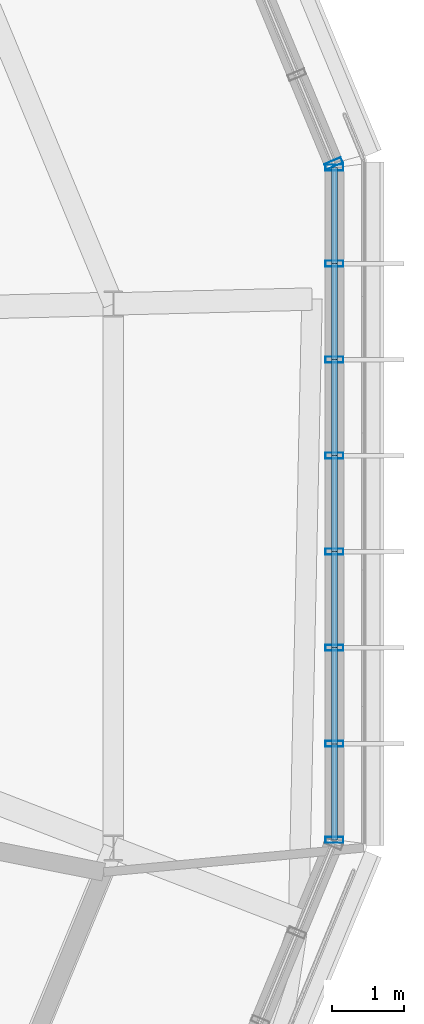
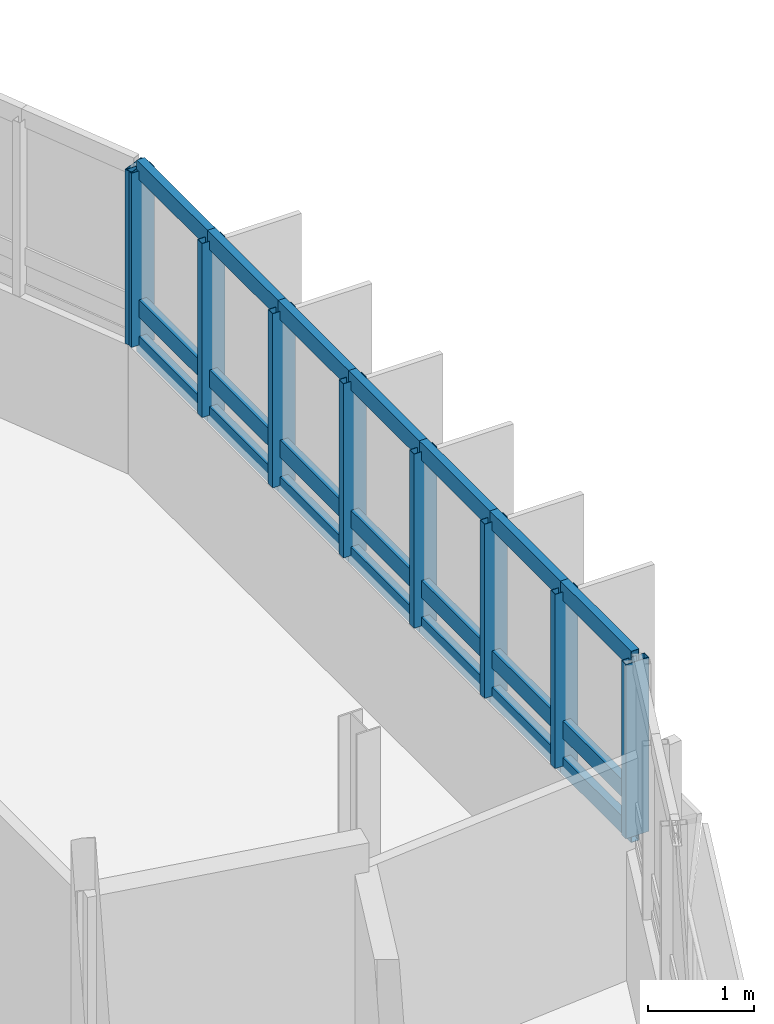
# One storey, part 15 of 31: 30 members, 2 elements without a shape of their own.
"""IFC4 building model written with IfcOpenShell, lengths in metres."""

from ifc_helpers import new_model, si_unit, derived_unit, direction, frame, origin, origin_2d, place, context, subcontext, project, spatial, hollow_rectangle, extrude, material, layer, layer_set, material_profile, profile_set, type_object, element, aggregate, save


model = new_model("IFC4")

# Units and contexts
model_context = context("Model", 3, precision=1e-05, world=origin(), true_north=direction((0.0, 1.0)))
body_context = subcontext(model_context, "Body", "Model", "MODEL_VIEW")
ifc_project = project(units=[si_unit("LENGTHUNIT", "METRE"), si_unit("AREAUNIT", "SQUARE_METRE"), si_unit("VOLUMEUNIT", "CUBIC_METRE"), si_unit("PLANEANGLEUNIT", "RADIAN"), si_unit("MASSUNIT", "GRAM", prefix="KILO"), derived_unit("THERMALTRANSMITTANCEUNIT", [(si_unit("MASSUNIT", "GRAM", prefix="KILO"), 1), (si_unit("TIMEUNIT", "SECOND"), -3), (si_unit("THERMODYNAMICTEMPERATUREUNIT", "KELVIN"), -1)])], contexts=[model_context])

# Site, building, storey
site_placement = place(None, origin())
site = spatial("IfcSite", under=ifc_project, at=site_placement, CompositionType="ELEMENT")
building_placement = place(site_placement, origin())
building = spatial("IfcBuilding", under=site, at=building_placement, Name="Makaiwela Harbour Ferry Terminal", CompositionType="ELEMENT")
storey_placement = place(building_placement, frame((0.0, 0.0, 21.60009765625)))
storey = spatial("IfcBuildingStorey", under=building, at=storey_placement, Name="L05", CompositionType="ELEMENT", Elevation=21.60009765625)

# Curtain wall, member
ifc_material = material(Name="Marine anodised aluminium 6063-T6", Category="aluminium")
ifc_layer = layer(ifc_material, 0.199951171875)
ifc_layer_set = layer_set([ifc_layer], Name="Marine anodised aluminium 6063-T6")
curtain_wall_type = type_object("IfcCurtainWallType", Name="ENV-CW-07", PredefinedType="USERDEFINED", material=ifc_layer_set)
curtain_wall_1_placement = place(storey_placement, origin())
curtain_wall_1 = element("IfcCurtainWall", 1, at=curtain_wall_1_placement, inside=storey, type_object=curtain_wall_type, Name="Unitised Curtain Wall CWA-058", ObjectType="UNITIZED CURTAIN WALL", PredefinedType="USERDEFINED")
ifc_material_profile_1 = material_profile(ifc_material, hollow_rectangle(XDim=0.0849609375, YDim=0.25, WallThickness=0.0048828125, at=origin_2d()), Name="CWM-250X85")
ifc_profile_set_1 = profile_set([ifc_material_profile_1], Name="Marine anodised aluminium 6063-T6")
member_type_1 = type_object("IfcMemberType", Name="CW-MUL-250", PredefinedType="MULLION", material=ifc_profile_set_1)
member_1_placement = place(storey_placement, frame((59.077392578125, 73.809814453125, 1.47998046875), z_axis=(0.0, 0.0, 1.0), x_axis=(-0.382683432365, 0.923879532511, 0.0)))
member_1 = element("IfcMember", 2, at=member_1_placement, type_object=member_type_1, Name="Curtain Wall Mullion CWA-058-1", PredefinedType="MULLION", context=body_context, shape_type="SweptSolid", body=[
    extrude(hollow_rectangle(XDim=0.0849609375, YDim=0.25, WallThickness=0.0048828125, at=origin_2d()), origin(), (0.0, 0.0, 1.0), 2.0),
])
aggregate(curtain_wall_1, [member_1])

# Curtain wall, members
curtain_wall_2_placement = place(storey_placement, origin())
curtain_wall_2 = element("IfcCurtainWall", 3, at=curtain_wall_2_placement, inside=storey, type_object=curtain_wall_type, Name="Unitised Curtain Wall CWA-071", ObjectType="UNITIZED CURTAIN WALL", PredefinedType="USERDEFINED")
member_2_placement = place(storey_placement, frame((59.0888671875, 64.44775390625, 1.47998046875), z_axis=(0.0, 0.0, 1.0), x_axis=(0.0, 1.0, 0.0)))
member_2 = element("IfcMember", 4, at=member_2_placement, type_object=member_type_1, Name="Curtain Wall Mullion CWA-071-1", PredefinedType="MULLION", context=body_context, shape_type="SweptSolid", body=[
    extrude(hollow_rectangle(XDim=0.0849609375, YDim=0.25, WallThickness=0.0048828125, at=origin_2d()), origin(), (0.0, 0.0, 1.0), 2.0),
])
member_3_placement = place(storey_placement, frame((59.0888671875, 65.777099609375, 1.47998046875), z_axis=(0.0, 0.0, 1.0), x_axis=(0.0, 1.0, 0.0)))
member_3 = element("IfcMember", 5, at=member_3_placement, type_object=member_type_1, Name="Curtain Wall Mullion CWA-071-2", PredefinedType="MULLION", context=body_context, shape_type="SweptSolid", body=[
    extrude(hollow_rectangle(XDim=0.0849609375, YDim=0.25, WallThickness=0.0048828125, at=origin_2d()), origin(), (0.0, 0.0, 1.0), 2.0),
])
member_4_placement = place(storey_placement, frame((59.0888671875, 67.106201171875, 1.47998046875), z_axis=(0.0, 0.0, 1.0), x_axis=(0.0, 1.0, 0.0)))
member_4 = element("IfcMember", 6, at=member_4_placement, type_object=member_type_1, Name="Curtain Wall Mullion CWA-071-3", PredefinedType="MULLION", context=body_context, shape_type="SweptSolid", body=[
    extrude(hollow_rectangle(XDim=0.0849609375, YDim=0.25, WallThickness=0.0048828125, at=origin_2d()), origin(), (0.0, 0.0, 1.0), 2.0),
])
member_5_placement = place(storey_placement, frame((59.0888671875, 68.435302734375, 1.47998046875), z_axis=(0.0, 0.0, 1.0), x_axis=(0.0, 1.0, 0.0)))
member_5 = element("IfcMember", 7, at=member_5_placement, type_object=member_type_1, Name="Curtain Wall Mullion CWA-071-4", PredefinedType="MULLION", context=body_context, shape_type="SweptSolid", body=[
    extrude(hollow_rectangle(XDim=0.0849609375, YDim=0.25, WallThickness=0.0048828125, at=origin_2d()), origin(), (0.0, 0.0, 1.0), 2.0),
])
member_6_placement = place(storey_placement, frame((59.0888671875, 69.7646484375, 1.47998046875), z_axis=(0.0, 0.0, 1.0), x_axis=(0.0, 1.0, 0.0)))
member_6 = element("IfcMember", 8, at=member_6_placement, type_object=member_type_1, Name="Curtain Wall Mullion CWA-071-5", PredefinedType="MULLION", context=body_context, shape_type="SweptSolid", body=[
    extrude(hollow_rectangle(XDim=0.0849609375, YDim=0.25, WallThickness=0.0048828125, at=origin_2d()), origin(), (0.0, 0.0, 1.0), 2.0),
])
member_7_placement = place(storey_placement, frame((59.0888671875, 71.09375, 1.47998046875), z_axis=(0.0, 0.0, 1.0), x_axis=(0.0, 1.0, 0.0)))
member_7 = element("IfcMember", 9, at=member_7_placement, type_object=member_type_1, Name="Curtain Wall Mullion CWA-071-6", PredefinedType="MULLION", context=body_context, shape_type="SweptSolid", body=[
    extrude(hollow_rectangle(XDim=0.0849609375, YDim=0.25, WallThickness=0.0048828125, at=origin_2d()), origin(), (0.0, 0.0, 1.0), 2.0),
])
member_8_placement = place(storey_placement, frame((59.0888671875, 72.423095703125, 1.47998046875), z_axis=(0.0, 0.0, 1.0), x_axis=(0.0, 1.0, 0.0)))
member_8 = element("IfcMember", 10, at=member_8_placement, type_object=member_type_1, Name="Curtain Wall Mullion CWA-071-7", PredefinedType="MULLION", context=body_context, shape_type="SweptSolid", body=[
    extrude(hollow_rectangle(XDim=0.0849609375, YDim=0.25, WallThickness=0.0048828125, at=origin_2d()), origin(), (0.0, 0.0, 1.0), 2.0),
])
member_9_placement = place(storey_placement, frame((59.0888671875, 73.752197265625, 1.47998046875), z_axis=(0.0, 0.0, 1.0), x_axis=(0.0, 1.0, 0.0)))
member_9 = element("IfcMember", 11, at=member_9_placement, type_object=member_type_1, Name="Curtain Wall Mullion CWA-071-8", PredefinedType="MULLION", context=body_context, shape_type="SweptSolid", body=[
    extrude(hollow_rectangle(XDim=0.0849609375, YDim=0.25, WallThickness=0.0048828125, at=origin_2d()), origin(), (0.0, 0.0, 1.0), 2.0),
])
ifc_material_profile_2 = material_profile(ifc_material, hollow_rectangle(XDim=0.0849609375, YDim=0.199951171875, WallThickness=0.0048828125, at=origin_2d()), Name="CWT-200X85")
ifc_profile_set_2 = profile_set([ifc_material_profile_2], Name="Marine anodised aluminium 6063-T6")
member_type_2 = type_object("IfcMemberType", Name="CW-TRN-200", PredefinedType="USERDEFINED", material=ifc_profile_set_2)
member_10_placement = place(storey_placement, frame((59.0888671875, 64.44775390625, 1.47998046875), z_axis=(0.0, 1.0, 0.0), x_axis=(-1.0, 0.0, 0.0)))
member_10 = element("IfcMember", 12, at=member_10_placement, type_object=member_type_2, Name="Curtain Wall Transom CWA-071-1-1", ObjectType="TRANSOM", PredefinedType="USERDEFINED", context=body_context, shape_type="SweptSolid", body=[
    extrude(hollow_rectangle(XDim=0.0849609375, YDim=0.199951171875, WallThickness=0.0048828125, at=origin_2d()), origin(), (0.0, 0.0, 1.0), 1.329345703125),
])
member_11_placement = place(storey_placement, frame((59.0888671875, 64.44775390625, 1.89990234375), z_axis=(0.0, 1.0, 0.0), x_axis=(-1.0, 0.0, 0.0)))
member_11 = element("IfcMember", 13, at=member_11_placement, type_object=member_type_2, Name="Curtain Wall Transom CWA-071-1-2", ObjectType="TRANSOM", PredefinedType="USERDEFINED", context=body_context, shape_type="SweptSolid", body=[
    extrude(hollow_rectangle(XDim=0.0849609375, YDim=0.199951171875, WallThickness=0.0048828125, at=origin_2d()), origin(), (0.0, 0.0, 1.0), 1.329345703125),
])
member_12_placement = place(storey_placement, frame((59.0888671875, 64.44775390625, 3.47998046875), z_axis=(0.0, 1.0, 0.0), x_axis=(-1.0, 0.0, 0.0)))
member_12 = element("IfcMember", 14, at=member_12_placement, type_object=member_type_2, Name="Curtain Wall Transom CWA-071-1-3", ObjectType="TRANSOM", PredefinedType="USERDEFINED", context=body_context, shape_type="SweptSolid", body=[
    extrude(hollow_rectangle(XDim=0.0849609375, YDim=0.199951171875, WallThickness=0.0048828125, at=origin_2d()), origin(), (0.0, 0.0, 1.0), 1.329345703125),
])
member_13_placement = place(storey_placement, frame((59.0888671875, 65.777099609375, 1.47998046875), z_axis=(0.0, 1.0, 0.0), x_axis=(-1.0, 0.0, 0.0)))
member_13 = element("IfcMember", 15, at=member_13_placement, type_object=member_type_2, Name="Curtain Wall Transom CWA-071-2-1", ObjectType="TRANSOM", PredefinedType="USERDEFINED", context=body_context, shape_type="SweptSolid", body=[
    extrude(hollow_rectangle(XDim=0.0849609375, YDim=0.199951171875, WallThickness=0.0048828125, at=origin_2d()), origin(), (0.0, 0.0, 1.0), 1.3291015625),
])
member_14_placement = place(storey_placement, frame((59.0888671875, 65.777099609375, 1.89990234375), z_axis=(0.0, 1.0, 0.0), x_axis=(-1.0, 0.0, 0.0)))
member_14 = element("IfcMember", 16, at=member_14_placement, type_object=member_type_2, Name="Curtain Wall Transom CWA-071-2-2", ObjectType="TRANSOM", PredefinedType="USERDEFINED", context=body_context, shape_type="SweptSolid", body=[
    extrude(hollow_rectangle(XDim=0.0849609375, YDim=0.199951171875, WallThickness=0.0048828125, at=origin_2d()), origin(), (0.0, 0.0, 1.0), 1.3291015625),
])
member_15_placement = place(storey_placement, frame((59.0888671875, 65.777099609375, 3.47998046875), z_axis=(0.0, 1.0, 0.0), x_axis=(-1.0, 0.0, 0.0)))
member_15 = element("IfcMember", 17, at=member_15_placement, type_object=member_type_2, Name="Curtain Wall Transom CWA-071-2-3", ObjectType="TRANSOM", PredefinedType="USERDEFINED", context=body_context, shape_type="SweptSolid", body=[
    extrude(hollow_rectangle(XDim=0.0849609375, YDim=0.199951171875, WallThickness=0.0048828125, at=origin_2d()), origin(), (0.0, 0.0, 1.0), 1.3291015625),
])
member_16_placement = place(storey_placement, frame((59.0888671875, 67.106201171875, 1.47998046875), z_axis=(0.0, 1.0, 0.0), x_axis=(-1.0, 0.0, 0.0)))
member_16 = element("IfcMember", 18, at=member_16_placement, type_object=member_type_2, Name="Curtain Wall Transom CWA-071-3-1", ObjectType="TRANSOM", PredefinedType="USERDEFINED", context=body_context, shape_type="SweptSolid", body=[
    extrude(hollow_rectangle(XDim=0.0849609375, YDim=0.199951171875, WallThickness=0.0048828125, at=origin_2d()), origin(), (0.0, 0.0, 1.0), 1.3291015625),
])
member_17_placement = place(storey_placement, frame((59.0888671875, 67.106201171875, 1.89990234375), z_axis=(0.0, 1.0, 0.0), x_axis=(-1.0, 0.0, 0.0)))
member_17 = element("IfcMember", 19, at=member_17_placement, type_object=member_type_2, Name="Curtain Wall Transom CWA-071-3-2", ObjectType="TRANSOM", PredefinedType="USERDEFINED", context=body_context, shape_type="SweptSolid", body=[
    extrude(hollow_rectangle(XDim=0.0849609375, YDim=0.199951171875, WallThickness=0.0048828125, at=origin_2d()), origin(), (0.0, 0.0, 1.0), 1.3291015625),
])
member_18_placement = place(storey_placement, frame((59.0888671875, 67.106201171875, 3.47998046875), z_axis=(0.0, 1.0, 0.0), x_axis=(-1.0, 0.0, 0.0)))
member_18 = element("IfcMember", 20, at=member_18_placement, type_object=member_type_2, Name="Curtain Wall Transom CWA-071-3-3", ObjectType="TRANSOM", PredefinedType="USERDEFINED", context=body_context, shape_type="SweptSolid", body=[
    extrude(hollow_rectangle(XDim=0.0849609375, YDim=0.199951171875, WallThickness=0.0048828125, at=origin_2d()), origin(), (0.0, 0.0, 1.0), 1.3291015625),
])
member_19_placement = place(storey_placement, frame((59.0888671875, 68.435302734375, 1.47998046875), z_axis=(0.0, 1.0, 0.0), x_axis=(-1.0, 0.0, 0.0)))
member_19 = element("IfcMember", 21, at=member_19_placement, type_object=member_type_2, Name="Curtain Wall Transom CWA-071-4-1", ObjectType="TRANSOM", PredefinedType="USERDEFINED", context=body_context, shape_type="SweptSolid", body=[
    extrude(hollow_rectangle(XDim=0.0849609375, YDim=0.199951171875, WallThickness=0.0048828125, at=origin_2d()), origin(), (0.0, 0.0, 1.0), 1.329345703125),
])
member_20_placement = place(storey_placement, frame((59.0888671875, 68.435302734375, 1.89990234375), z_axis=(0.0, 1.0, 0.0), x_axis=(-1.0, 0.0, 0.0)))
member_20 = element("IfcMember", 22, at=member_20_placement, type_object=member_type_2, Name="Curtain Wall Transom CWA-071-4-2", ObjectType="TRANSOM", PredefinedType="USERDEFINED", context=body_context, shape_type="SweptSolid", body=[
    extrude(hollow_rectangle(XDim=0.0849609375, YDim=0.199951171875, WallThickness=0.0048828125, at=origin_2d()), origin(), (0.0, 0.0, 1.0), 1.329345703125),
])
member_21_placement = place(storey_placement, frame((59.0888671875, 68.435302734375, 3.47998046875), z_axis=(0.0, 1.0, 0.0), x_axis=(-1.0, 0.0, 0.0)))
member_21 = element("IfcMember", 23, at=member_21_placement, type_object=member_type_2, Name="Curtain Wall Transom CWA-071-4-3", ObjectType="TRANSOM", PredefinedType="USERDEFINED", context=body_context, shape_type="SweptSolid", body=[
    extrude(hollow_rectangle(XDim=0.0849609375, YDim=0.199951171875, WallThickness=0.0048828125, at=origin_2d()), origin(), (0.0, 0.0, 1.0), 1.329345703125),
])
member_22_placement = place(storey_placement, frame((59.0888671875, 69.7646484375, 1.47998046875), z_axis=(0.0, 1.0, 0.0), x_axis=(-1.0, 0.0, 0.0)))
member_22 = element("IfcMember", 24, at=member_22_placement, type_object=member_type_2, Name="Curtain Wall Transom CWA-071-5-1", ObjectType="TRANSOM", PredefinedType="USERDEFINED", context=body_context, shape_type="SweptSolid", body=[
    extrude(hollow_rectangle(XDim=0.0849609375, YDim=0.199951171875, WallThickness=0.0048828125, at=origin_2d()), origin(), (0.0, 0.0, 1.0), 1.3291015625),
])
member_23_placement = place(storey_placement, frame((59.0888671875, 69.7646484375, 1.89990234375), z_axis=(0.0, 1.0, 0.0), x_axis=(-1.0, 0.0, 0.0)))
member_23 = element("IfcMember", 25, at=member_23_placement, type_object=member_type_2, Name="Curtain Wall Transom CWA-071-5-2", ObjectType="TRANSOM", PredefinedType="USERDEFINED", context=body_context, shape_type="SweptSolid", body=[
    extrude(hollow_rectangle(XDim=0.0849609375, YDim=0.199951171875, WallThickness=0.0048828125, at=origin_2d()), origin(), (0.0, 0.0, 1.0), 1.3291015625),
])
member_24_placement = place(storey_placement, frame((59.0888671875, 69.7646484375, 3.47998046875), z_axis=(0.0, 1.0, 0.0), x_axis=(-1.0, 0.0, 0.0)))
member_24 = element("IfcMember", 26, at=member_24_placement, type_object=member_type_2, Name="Curtain Wall Transom CWA-071-5-3", ObjectType="TRANSOM", PredefinedType="USERDEFINED", context=body_context, shape_type="SweptSolid", body=[
    extrude(hollow_rectangle(XDim=0.0849609375, YDim=0.199951171875, WallThickness=0.0048828125, at=origin_2d()), origin(), (0.0, 0.0, 1.0), 1.3291015625),
])
member_25_placement = place(storey_placement, frame((59.0888671875, 71.09375, 1.47998046875), z_axis=(0.0, 1.0, 0.0), x_axis=(-1.0, 0.0, 0.0)))
member_25 = element("IfcMember", 27, at=member_25_placement, type_object=member_type_2, Name="Curtain Wall Transom CWA-071-6-1", ObjectType="TRANSOM", PredefinedType="USERDEFINED", context=body_context, shape_type="SweptSolid", body=[
    extrude(hollow_rectangle(XDim=0.0849609375, YDim=0.199951171875, WallThickness=0.0048828125, at=origin_2d()), origin(), (0.0, 0.0, 1.0), 1.329345703125),
])
member_26_placement = place(storey_placement, frame((59.0888671875, 71.09375, 1.89990234375), z_axis=(0.0, 1.0, 0.0), x_axis=(-1.0, 0.0, 0.0)))
member_26 = element("IfcMember", 28, at=member_26_placement, type_object=member_type_2, Name="Curtain Wall Transom CWA-071-6-2", ObjectType="TRANSOM", PredefinedType="USERDEFINED", context=body_context, shape_type="SweptSolid", body=[
    extrude(hollow_rectangle(XDim=0.0849609375, YDim=0.199951171875, WallThickness=0.0048828125, at=origin_2d()), origin(), (0.0, 0.0, 1.0), 1.329345703125),
])
member_27_placement = place(storey_placement, frame((59.0888671875, 71.09375, 3.47998046875), z_axis=(0.0, 1.0, 0.0), x_axis=(-1.0, 0.0, 0.0)))
member_27 = element("IfcMember", 29, at=member_27_placement, type_object=member_type_2, Name="Curtain Wall Transom CWA-071-6-3", ObjectType="TRANSOM", PredefinedType="USERDEFINED", context=body_context, shape_type="SweptSolid", body=[
    extrude(hollow_rectangle(XDim=0.0849609375, YDim=0.199951171875, WallThickness=0.0048828125, at=origin_2d()), origin(), (0.0, 0.0, 1.0), 1.329345703125),
])
member_28_placement = place(storey_placement, frame((59.0888671875, 72.423095703125, 1.47998046875), z_axis=(0.0, 1.0, 0.0), x_axis=(-1.0, 0.0, 0.0)))
member_28 = element("IfcMember", 30, at=member_28_placement, type_object=member_type_2, Name="Curtain Wall Transom CWA-071-7-1", ObjectType="TRANSOM", PredefinedType="USERDEFINED", context=body_context, shape_type="SweptSolid", body=[
    extrude(hollow_rectangle(XDim=0.0849609375, YDim=0.199951171875, WallThickness=0.0048828125, at=origin_2d()), origin(), (0.0, 0.0, 1.0), 1.3291015625),
])
member_29_placement = place(storey_placement, frame((59.0888671875, 72.423095703125, 1.89990234375), z_axis=(0.0, 1.0, 0.0), x_axis=(-1.0, 0.0, 0.0)))
member_29 = element("IfcMember", 31, at=member_29_placement, type_object=member_type_2, Name="Curtain Wall Transom CWA-071-7-2", ObjectType="TRANSOM", PredefinedType="USERDEFINED", context=body_context, shape_type="SweptSolid", body=[
    extrude(hollow_rectangle(XDim=0.0849609375, YDim=0.199951171875, WallThickness=0.0048828125, at=origin_2d()), origin(), (0.0, 0.0, 1.0), 1.3291015625),
])
member_30_placement = place(storey_placement, frame((59.0888671875, 72.423095703125, 3.47998046875), z_axis=(0.0, 1.0, 0.0), x_axis=(-1.0, 0.0, 0.0)))
member_30 = element("IfcMember", 32, at=member_30_placement, type_object=member_type_2, Name="Curtain Wall Transom CWA-071-7-3", ObjectType="TRANSOM", PredefinedType="USERDEFINED", context=body_context, shape_type="SweptSolid", body=[
    extrude(hollow_rectangle(XDim=0.0849609375, YDim=0.199951171875, WallThickness=0.0048828125, at=origin_2d()), origin(), (0.0, 0.0, 1.0), 1.3291015625),
])
aggregate(curtain_wall_2, [member_2, member_3, member_4, member_5, member_6, member_7, member_8, member_9, member_10, member_11, member_12, member_13, member_14, member_15, member_16, member_17, member_18, member_19, member_20, member_21, member_22, member_23, member_24, member_25, member_26, member_27, member_28, member_29, member_30])

save(model, "model.ifc")
